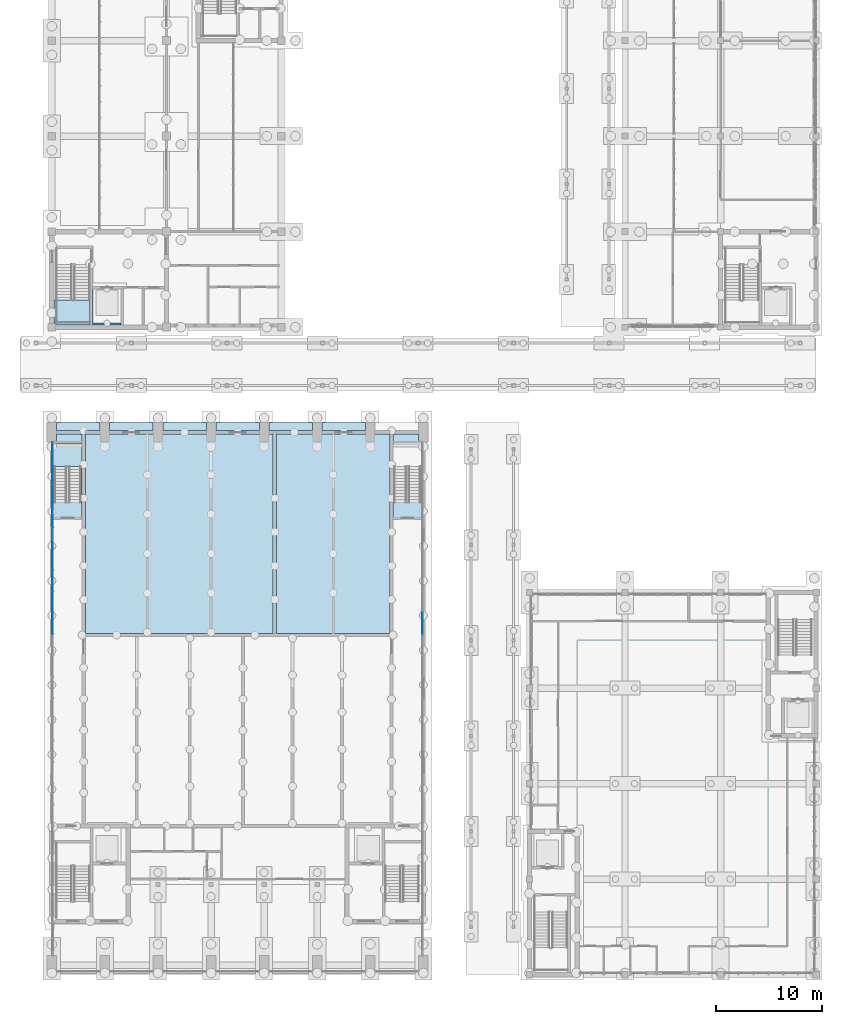
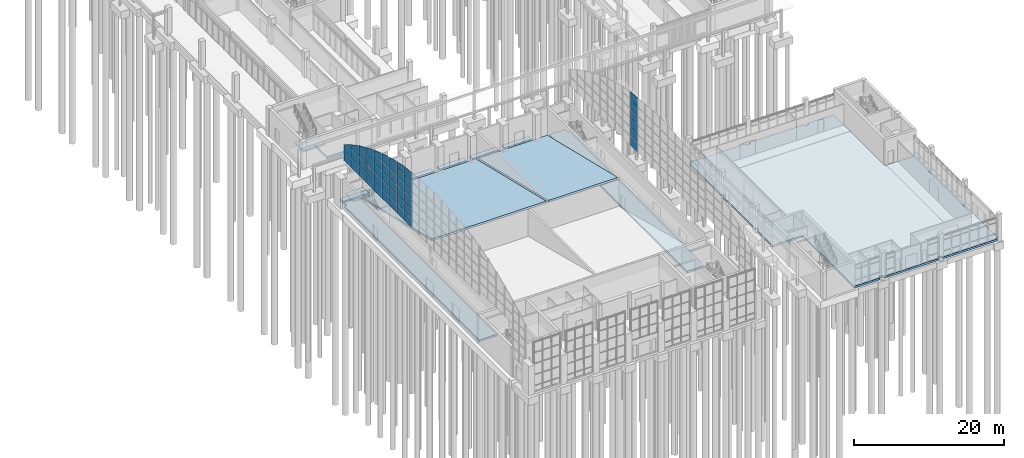
# One storey, part 55 of 106: 45 plates, 14 slabs, 4 elements without a shape of their own.
"""IFC4 building model written with IfcOpenShell, lengths in metres."""

from ifc_helpers import new_model, si_unit, direction, frame, origin, place, context, subcontext, project, spatial, polyline, outline, extrude, material, layer, layer_set, type_object, element, aggregate, save


model = new_model("IFC4")

# Units and contexts
model_context = context("Model", 3, precision=1e-05, world=origin(), true_north=direction((0.0, 1.0)))
body_context = subcontext(model_context, "Body", "Model", "MODEL_VIEW")
ifc_project = project(units=[si_unit("LENGTHUNIT", "METRE"), si_unit("AREAUNIT", "SQUARE_METRE"), si_unit("VOLUMEUNIT", "CUBIC_METRE"), si_unit("PLANEANGLEUNIT", "RADIAN"), si_unit("MASSUNIT", "GRAM", prefix="KILO")], contexts=[model_context])

# Site, building, storey
site_placement = place(None, origin())
site = spatial("IfcSite", under=ifc_project, at=site_placement, CompositionType="ELEMENT")
building_placement = place(site_placement, origin())
building = spatial("IfcBuilding", under=site, at=building_placement, Name="Merrow Basin Faculty of Sciences", CompositionType="ELEMENT")
storey_placement = place(building_placement, origin())
storey = spatial("IfcBuildingStorey", under=building, at=storey_placement, Name="L00", CompositionType="ELEMENT", Elevation=0.0)

# Slabs
ifc_material_1 = material(Name="Concrete C40/50", Category="concrete")
ifc_layer_1 = layer(ifc_material_1, 0.300048828125)
ifc_layer_set_1 = layer_set([ifc_layer_1], Name="Ground slab 300 Concrete C40/50")
slab_type_1 = type_object("IfcSlabType", Name="Ground slab 300 Concrete C40/50", PredefinedType="BASESLAB", material=ifc_layer_set_1)
slab_1_placement = place(storey_placement, frame((0.0, 0.0, -0.300048828125)))
element("IfcSlab", 1, at=slab_1_placement, inside=storey, type_object=slab_type_1, Name="SL3 ground L00 002", PredefinedType="BASESLAB", context=body_context, shape_type="SweptSolid", body=[
    extrude(outline(polyline([(32.14990234375, 32.14990234375), (32.14990234375, 50.949951171875), (34.550048828125, 50.949951171875), (34.550048828125, 50.199951171875), (34.85009765625, 50.199951171875), (34.85009765625, 14.199951171875), (32.14990234375, 14.199951171875), (32.14990234375, 31.85009765625), (32.14990234375, 32.14990234375)])), origin(), (0.0, 0.0, 1.0), 0.300048828125),
])
slab_2_placement = place(storey_placement, frame((0.0, 0.0, -0.300048828125)))
element("IfcSlab", 2, at=slab_2_placement, inside=storey, type_object=slab_type_1, Name="SL3 ground L00 003", PredefinedType="BASESLAB", context=body_context, shape_type="SweptSolid", body=[
    extrude(outline(polyline([(2.85009765625, 50.949951171875), (2.85009765625, 32.14990234375), (2.85009765625, 31.85009765625), (2.85009765625, 14.199951171875), (0.14990234375, 14.199951171875), (0.14990234375, 50.199951171875), (0.449951171875, 50.199951171875), (0.449951171875, 50.949951171875), (2.85009765625, 50.949951171875)])), origin(), (0.0, 0.0, 1.0), 0.300048828125),
])
slab_3_placement = place(storey_placement, frame((0.0, 0.0, -0.300048828125)))
element("IfcSlab", 3, at=slab_3_placement, inside=storey, type_object=slab_type_1, Name="SL3 ground L00 010", PredefinedType="BASESLAB", context=body_context, shape_type="SweptSolid", body=[
    extrude(outline(polyline([(14.550048828125, 51.25), (10.449951171875, 51.25), (10.449951171875, 52.0), (14.550048828125, 52.0), (14.550048828125, 51.25)])), origin(), (0.0, 0.0, 1.0), 0.300048828125),
])
slab_4_placement = place(storey_placement, frame((0.0, 0.0, -0.300048828125)))
element("IfcSlab", 4, at=slab_4_placement, inside=storey, type_object=slab_type_1, Name="SL3 ground L00 011", PredefinedType="BASESLAB", context=body_context, shape_type="SweptSolid", body=[
    extrude(outline(polyline([(19.550048828125, 51.25), (15.449951171875, 51.25), (15.449951171875, 52.0), (19.550048828125, 52.0), (19.550048828125, 51.25)])), origin(), (0.0, 0.0, 1.0), 0.300048828125),
])
slab_5_placement = place(storey_placement, frame((0.0, 0.0, -0.300048828125)))
element("IfcSlab", 5, at=slab_5_placement, inside=storey, type_object=slab_type_1, Name="SL3 ground L00 012", PredefinedType="BASESLAB", context=body_context, shape_type="SweptSolid", body=[
    extrude(outline(polyline([(24.550048828125, 51.25), (21.14990234375, 51.25), (20.85009765625, 51.25), (20.449951171875, 51.25), (20.449951171875, 52.0), (24.550048828125, 52.0), (24.550048828125, 51.25)])), origin(), (0.0, 0.0, 1.0), 0.300048828125),
])
slab_6_placement = place(storey_placement, frame((0.0, 0.0, -0.300048828125)))
element("IfcSlab", 6, at=slab_6_placement, inside=storey, type_object=slab_type_1, Name="SL3 ground L00 013", PredefinedType="BASESLAB", context=body_context, shape_type="SweptSolid", body=[
    extrude(outline(polyline([(29.550048828125, 51.25), (25.449951171875, 51.25), (25.449951171875, 52.0), (29.550048828125, 52.0), (29.550048828125, 51.25)])), origin(), (0.0, 0.0, 1.0), 0.300048828125),
])
slab_7_placement = place(storey_placement, frame((0.0, 0.0, -0.300048828125)))
element("IfcSlab", 7, at=slab_7_placement, inside=storey, type_object=slab_type_1, Name="SL3 ground L00 014", PredefinedType="BASESLAB", context=body_context, shape_type="SweptSolid", body=[
    extrude(outline(polyline([(9.550048828125, 51.25), (5.449951171875, 51.25), (5.449951171875, 52.0), (9.550048828125, 52.0), (9.550048828125, 51.25)])), origin(), (0.0, 0.0, 1.0), 0.300048828125),
])
slab_8_placement = place(storey_placement, frame((0.0, 0.0, -0.300048828125)))
element("IfcSlab", 8, at=slab_8_placement, inside=storey, type_object=slab_type_1, Name="SL3 ground L00 015", PredefinedType="BASESLAB", context=body_context, shape_type="SweptSolid", body=[
    extrude(outline(polyline([(4.550048828125, 51.25), (3.14990234375, 51.25), (2.85009765625, 51.25), (0.449951171875, 51.25), (0.449951171875, 52.0), (4.550048828125, 52.0), (4.550048828125, 51.25)])), origin(), (0.0, 0.0, 1.0), 0.300048828125),
])
slab_9_placement = place(storey_placement, frame((0.0, 0.0, -0.300048828125)))
element("IfcSlab", 9, at=slab_9_placement, inside=storey, type_object=slab_type_1, Name="SL3 ground L00 001", PredefinedType="BASESLAB", context=body_context, shape_type="SweptSolid", body=[
    extrude(outline(polyline([(45.300048828125, 17.699951171875), (45.300048828125, 18.300048828125), (45.0, 18.300048828125), (45.0, 26.699951171875), (45.300048828125, 26.699951171875), (45.300048828125, 27.300048828125), (45.0, 27.300048828125), (45.0, 35.699951171875), (45.300048828125, 35.699951171875), (45.300048828125, 36.0), (53.699951171875, 36.0), (53.699951171875, 35.699951171875), (54.300048828125, 35.699951171875), (54.300048828125, 36.0), (62.699951171875, 36.0), (62.699951171875, 35.699951171875), (63.300048828125, 35.699951171875), (63.300048828125, 36.0), (67.300048828125, 36.0), (67.300048828125, 35.800048828125), (67.300048828125, 22.699951171875), (67.300048828125, 22.300048828125), (72.0, 22.300048828125), (72.0, 18.300048828125), (71.699951171875, 18.300048828125), (71.699951171875, 17.699951171875), (72.0, 17.699951171875), (72.0, 9.300048828125), (71.699951171875, 9.300048828125), (71.699951171875, 8.699951171875), (72.0, 8.699951171875), (72.0, 0.300048828125), (71.699951171875, 0.300048828125), (71.699951171875, 0.0), (63.300048828125, 0.0), (63.300048828125, 0.300048828125), (62.699951171875, 0.300048828125), (62.699951171875, 0.0), (54.300048828125, 0.0), (54.300048828125, 0.300048828125), (53.699951171875, 0.300048828125), (53.699951171875, 0.0), (49.699951171875, 0.0), (49.699951171875, 0.199951171875), (49.699951171875, 13.300048828125), (49.699951171875, 13.699951171875), (45.0, 13.699951171875), (45.0, 17.699951171875), (45.300048828125, 17.699951171875)])), origin(), (0.0, 0.0, 1.0), 0.300048828125),
])
slab_10_placement = place(storey_placement, frame((0.0, 0.0, -0.300048828125)))
element("IfcSlab", 10, at=slab_10_placement, inside=storey, type_object=slab_type_1, Name="SL3 ground L00 010", PredefinedType="BASESLAB", context=body_context, shape_type="SweptSolid", body=[
    extrude(outline(polyline([(6.5, 61.39990234375), (6.5, 61.199951171875), (3.85009765625, 61.199951171875), (3.85009765625, 64.60009765625), (3.89990234375, 64.60009765625), (3.89990234375, 61.39990234375), (6.5, 61.39990234375)])), origin(), (0.0, 0.0, 1.0), 0.300048828125),
])

# Curtain wall, plates
ifc_material_2 = material(Name="Aluminium alloy 6063", Category="aluminium")
curtain_wall_type = type_object("IfcCurtainWallType", Name="Arched curtain wall 160", PredefinedType="NOTDEFINED", material=ifc_material_2)
curtain_wall_1_placement = place(storey_placement, origin())
curtain_wall_1 = element("IfcCurtainWall", 11, at=curtain_wall_1_placement, inside=storey, type_object=curtain_wall_type, Name="West gable glazing C", PredefinedType="NOTDEFINED")
ifc_material_3 = material(Name="Laminated safety glass", Category="glass")
ifc_layer_2 = layer(ifc_material_3, 0.0400390625)
ifc_layer_set_2 = layer_set([ifc_layer_2], Name="Laminated overhead glazing panel 40")
plate_type = type_object("IfcPlateType", Name="Laminated overhead glazing panel 40", PredefinedType="CURTAIN_PANEL", material=ifc_layer_set_2)
plate_1_placement = place(storey_placement, frame((0.06005859375, 32.1298828125, 7.5), z_axis=(1.0, 0.0, 0.0), x_axis=(0.0, 1.0, 0.0)))
plate_1 = element("IfcPlate", 12, at=plate_1_placement, type_object=plate_type, Name="CW4 panel 10.1", PredefinedType="CURTAIN_PANEL", context=body_context, shape_type="SweptSolid", body=[
    extrude(outline(polyline([(0.0, 0.0), (1.949951171875, 0.0), (1.949951171875, 1.469970703125), (0.0, 1.469970703125), (0.0, 0.0)])), origin(), (0.0, 0.0, 1.0), 0.0400390625),
])
plate_2_placement = place(storey_placement, frame((0.06005859375, 32.1298828125, 9.030029296875), z_axis=(1.0, 0.0, 0.0), x_axis=(0.0, 1.0, 0.0)))
plate_2 = element("IfcPlate", 13, at=plate_2_placement, type_object=plate_type, Name="CW4 panel 10.2", PredefinedType="CURTAIN_PANEL", context=body_context, shape_type="SweptSolid", body=[
    extrude(outline(polyline([(0.0, 0.0), (1.949951171875, 0.0), (1.949951171875, 1.43994140625), (0.0, 1.43994140625), (0.0, 0.0)])), origin(), (0.0, 0.0, 1.0), 0.0400390625),
])
plate_3_placement = place(storey_placement, frame((0.06005859375, 32.1298828125, 10.530029296875), z_axis=(1.0, 0.0, 0.0), x_axis=(0.0, 1.0, 0.0)))
plate_3 = element("IfcPlate", 14, at=plate_3_placement, type_object=plate_type, Name="CW4 panel 10.3", PredefinedType="CURTAIN_PANEL", context=body_context, shape_type="SweptSolid", body=[
    extrude(outline(polyline([(0.0, 0.0), (1.949951171875, 0.0), (1.949951171875, 1.43994140625), (0.0, 1.43994140625), (0.0, 0.0)])), origin(), (0.0, 0.0, 1.0), 0.0400390625),
])
plate_4_placement = place(storey_placement, frame((0.06005859375, 32.1298828125, 12.030029296875), z_axis=(1.0, 0.0, 0.0), x_axis=(0.0, 1.0, 0.0)))
plate_4 = element("IfcPlate", 15, at=plate_4_placement, type_object=plate_type, Name="CW4 panel 10.4", PredefinedType="CURTAIN_PANEL", context=body_context, shape_type="SweptSolid", body=[
    extrude(outline(polyline([(0.0, 0.0), (1.949951171875, 0.0), (1.949951171875, 1.43994140625), (0.0, 1.43994140625), (0.0, 0.0)])), origin(), (0.0, 0.0, 1.0), 0.0400390625),
])
plate_5_placement = place(storey_placement, frame((0.06005859375, 32.1298828125, 13.530029296875), z_axis=(1.0, 0.0, 0.0), x_axis=(0.0, 1.0, 0.0)))
plate_5 = element("IfcPlate", 16, at=plate_5_placement, type_object=plate_type, Name="CW4 panel 10.5", PredefinedType="CURTAIN_PANEL", context=body_context, shape_type="SweptSolid", body=[
    extrude(outline(polyline([(0.0, 0.0), (1.949951171875, 0.0), (1.949951171875, 1.43994140625), (0.0, 1.43994140625), (0.0, 0.0)])), origin(), (0.0, 0.0, 1.0), 0.0400390625),
])
plate_6_placement = place(storey_placement, frame((0.06005859375, 32.1298828125, 15.030029296875), z_axis=(1.0, 0.0, 0.0), x_axis=(0.0, 1.0, 0.0)))
plate_6 = element("IfcPlate", 17, at=plate_6_placement, type_object=plate_type, Name="CW4 panel 10.top", PredefinedType="CURTAIN_PANEL", context=body_context, shape_type="SweptSolid", body=[
    extrude(outline(polyline([(0.0, 0.0), (1.950927734375, 0.0), (1.950927734375, 1.200927734375), (1.847900390625, 1.222900390625), (0.0, 1.383056640625), (0.0, 0.0)])), origin(), (0.0, 0.0, 1.0), 0.0400390625),
])
plate_7_placement = place(storey_placement, frame((0.06005859375, 34.14111328125, 7.5), z_axis=(1.0, 0.0, 0.0), x_axis=(0.0, 1.0, 0.0)))
plate_7 = element("IfcPlate", 18, at=plate_7_placement, type_object=plate_type, Name="CW4 panel 11.1", PredefinedType="CURTAIN_PANEL", context=body_context, shape_type="SweptSolid", body=[
    extrude(outline(polyline([(0.0, 0.0), (1.949951171875, 0.0), (1.949951171875, 1.469970703125), (0.0, 1.469970703125), (0.0, 0.0)])), origin(), (0.0, 0.0, 1.0), 0.0400390625),
])
plate_8_placement = place(storey_placement, frame((0.06005859375, 34.14111328125, 9.030029296875), z_axis=(1.0, 0.0, 0.0), x_axis=(0.0, 1.0, 0.0)))
plate_8 = element("IfcPlate", 19, at=plate_8_placement, type_object=plate_type, Name="CW4 panel 11.2", PredefinedType="CURTAIN_PANEL", context=body_context, shape_type="SweptSolid", body=[
    extrude(outline(polyline([(0.0, 0.0), (1.949951171875, 0.0), (1.949951171875, 1.43994140625), (0.0, 1.43994140625), (0.0, 0.0)])), origin(), (0.0, 0.0, 1.0), 0.0400390625),
])
plate_9_placement = place(storey_placement, frame((0.06005859375, 34.14111328125, 10.530029296875), z_axis=(1.0, 0.0, 0.0), x_axis=(0.0, 1.0, 0.0)))
plate_9 = element("IfcPlate", 20, at=plate_9_placement, type_object=plate_type, Name="CW4 panel 11.3", PredefinedType="CURTAIN_PANEL", context=body_context, shape_type="SweptSolid", body=[
    extrude(outline(polyline([(0.0, 0.0), (1.949951171875, 0.0), (1.949951171875, 1.43994140625), (0.0, 1.43994140625), (0.0, 0.0)])), origin(), (0.0, 0.0, 1.0), 0.0400390625),
])
plate_10_placement = place(storey_placement, frame((0.06005859375, 34.14111328125, 12.030029296875), z_axis=(1.0, 0.0, 0.0), x_axis=(0.0, 1.0, 0.0)))
plate_10 = element("IfcPlate", 21, at=plate_10_placement, type_object=plate_type, Name="CW4 panel 11.4", PredefinedType="CURTAIN_PANEL", context=body_context, shape_type="SweptSolid", body=[
    extrude(outline(polyline([(0.0, 0.0), (1.949951171875, 0.0), (1.949951171875, 1.43994140625), (0.0, 1.43994140625), (0.0, 0.0)])), origin(), (0.0, 0.0, 1.0), 0.0400390625),
])
plate_11_placement = place(storey_placement, frame((0.06005859375, 34.14111328125, 13.530029296875), z_axis=(1.0, 0.0, 0.0), x_axis=(0.0, 1.0, 0.0)))
plate_11 = element("IfcPlate", 22, at=plate_11_placement, type_object=plate_type, Name="CW4 panel 11.5", PredefinedType="CURTAIN_PANEL", context=body_context, shape_type="SweptSolid", body=[
    extrude(outline(polyline([(0.0, 0.0), (1.949951171875, 0.0), (1.949951171875, 1.43994140625), (0.0, 1.43994140625), (0.0, 0.0)])), origin(), (0.0, 0.0, 1.0), 0.0400390625),
])
plate_12_placement = place(storey_placement, frame((0.06005859375, 34.14111328125, 15.030029296875), z_axis=(1.0, 0.0, 0.0), x_axis=(0.0, 1.0, 0.0)))
plate_12 = element("IfcPlate", 23, at=plate_12_placement, type_object=plate_type, Name="CW4 panel 11.top", PredefinedType="CURTAIN_PANEL", context=body_context, shape_type="SweptSolid", body=[
    extrude(outline(polyline([(0.0, 0.0), (1.950927734375, 0.0), (1.950927734375, 0.780029296875), (0.0, 1.18798828125), (0.0, 0.0)])), origin(), (0.0, 0.0, 1.0), 0.0400390625),
])
plate_13_placement = place(storey_placement, frame((0.06005859375, 36.152099609375, 7.5), z_axis=(1.0, 0.0, 0.0), x_axis=(0.0, 1.0, 0.0)))
plate_13 = element("IfcPlate", 24, at=plate_13_placement, type_object=plate_type, Name="CW4 panel 12.1", PredefinedType="CURTAIN_PANEL", context=body_context, shape_type="SweptSolid", body=[
    extrude(outline(polyline([(0.0, 0.0), (1.949951171875, 0.0), (1.949951171875, 1.469970703125), (0.0, 1.469970703125), (0.0, 0.0)])), origin(), (0.0, 0.0, 1.0), 0.0400390625),
])
plate_14_placement = place(storey_placement, frame((0.06005859375, 36.152099609375, 9.030029296875), z_axis=(1.0, 0.0, 0.0), x_axis=(0.0, 1.0, 0.0)))
plate_14 = element("IfcPlate", 25, at=plate_14_placement, type_object=plate_type, Name="CW4 panel 12.2", PredefinedType="CURTAIN_PANEL", context=body_context, shape_type="SweptSolid", body=[
    extrude(outline(polyline([(0.0, 0.0), (1.949951171875, 0.0), (1.949951171875, 1.43994140625), (0.0, 1.43994140625), (0.0, 0.0)])), origin(), (0.0, 0.0, 1.0), 0.0400390625),
])
plate_15_placement = place(storey_placement, frame((0.06005859375, 36.152099609375, 10.530029296875), z_axis=(1.0, 0.0, 0.0), x_axis=(0.0, 1.0, 0.0)))
plate_15 = element("IfcPlate", 26, at=plate_15_placement, type_object=plate_type, Name="CW4 panel 12.3", PredefinedType="CURTAIN_PANEL", context=body_context, shape_type="SweptSolid", body=[
    extrude(outline(polyline([(0.0, 0.0), (1.949951171875, 0.0), (1.949951171875, 1.43994140625), (0.0, 1.43994140625), (0.0, 0.0)])), origin(), (0.0, 0.0, 1.0), 0.0400390625),
])
plate_16_placement = place(storey_placement, frame((0.06005859375, 36.152099609375, 12.030029296875), z_axis=(1.0, 0.0, 0.0), x_axis=(0.0, 1.0, 0.0)))
plate_16 = element("IfcPlate", 27, at=plate_16_placement, type_object=plate_type, Name="CW4 panel 12.4", PredefinedType="CURTAIN_PANEL", context=body_context, shape_type="SweptSolid", body=[
    extrude(outline(polyline([(0.0, 0.0), (1.949951171875, 0.0), (1.949951171875, 1.43994140625), (0.0, 1.43994140625), (0.0, 0.0)])), origin(), (0.0, 0.0, 1.0), 0.0400390625),
])
plate_17_placement = place(storey_placement, frame((0.06005859375, 36.152099609375, 13.530029296875), z_axis=(1.0, 0.0, 0.0), x_axis=(0.0, 1.0, 0.0)))
plate_17 = element("IfcPlate", 28, at=plate_17_placement, type_object=plate_type, Name="CW4 panel 12.top", PredefinedType="CURTAIN_PANEL", context=body_context, shape_type="SweptSolid", body=[
    extrude(outline(polyline([(0.0, 0.0), (1.950927734375, 0.0), (1.950927734375, 1.779052734375), (0.81201171875, 2.097900390625), (0.0, 2.26806640625), (0.0, 0.0)])), origin(), (0.0, 0.0, 1.0), 0.0400390625),
])
plate_18_placement = place(storey_placement, frame((0.06005859375, 38.1630859375, 7.5), z_axis=(1.0, 0.0, 0.0), x_axis=(0.0, 1.0, 0.0)))
plate_18 = element("IfcPlate", 29, at=plate_18_placement, type_object=plate_type, Name="CW4 panel 13.1", PredefinedType="CURTAIN_PANEL", context=body_context, shape_type="SweptSolid", body=[
    extrude(outline(polyline([(0.0, 0.0), (1.949951171875, 0.0), (1.949951171875, 1.469970703125), (0.0, 1.469970703125), (0.0, 0.0)])), origin(), (0.0, 0.0, 1.0), 0.0400390625),
])
plate_19_placement = place(storey_placement, frame((0.06005859375, 38.1630859375, 9.030029296875), z_axis=(1.0, 0.0, 0.0), x_axis=(0.0, 1.0, 0.0)))
plate_19 = element("IfcPlate", 30, at=plate_19_placement, type_object=plate_type, Name="CW4 panel 13.2", PredefinedType="CURTAIN_PANEL", context=body_context, shape_type="SweptSolid", body=[
    extrude(outline(polyline([(0.0, 0.0), (1.949951171875, 0.0), (1.949951171875, 1.43994140625), (0.0, 1.43994140625), (0.0, 0.0)])), origin(), (0.0, 0.0, 1.0), 0.0400390625),
])
plate_20_placement = place(storey_placement, frame((0.06005859375, 38.1630859375, 10.530029296875), z_axis=(1.0, 0.0, 0.0), x_axis=(0.0, 1.0, 0.0)))
plate_20 = element("IfcPlate", 31, at=plate_20_placement, type_object=plate_type, Name="CW4 panel 13.3", PredefinedType="CURTAIN_PANEL", context=body_context, shape_type="SweptSolid", body=[
    extrude(outline(polyline([(0.0, 0.0), (1.949951171875, 0.0), (1.949951171875, 1.43994140625), (0.0, 1.43994140625), (0.0, 0.0)])), origin(), (0.0, 0.0, 1.0), 0.0400390625),
])
plate_21_placement = place(storey_placement, frame((0.06005859375, 38.1630859375, 12.030029296875), z_axis=(1.0, 0.0, 0.0), x_axis=(0.0, 1.0, 0.0)))
plate_21 = element("IfcPlate", 32, at=plate_21_placement, type_object=plate_type, Name="CW4 panel 13.4", PredefinedType="CURTAIN_PANEL", context=body_context, shape_type="SweptSolid", body=[
    extrude(outline(polyline([(0.0, 0.0), (1.949951171875, 0.0), (1.949951171875, 1.43994140625), (0.0, 1.43994140625), (0.0, 0.0)])), origin(), (0.0, 0.0, 1.0), 0.0400390625),
])
plate_22_placement = place(storey_placement, frame((0.06005859375, 38.1630859375, 13.530029296875), z_axis=(1.0, 0.0, 0.0), x_axis=(0.0, 1.0, 0.0)))
plate_22 = element("IfcPlate", 33, at=plate_22_placement, type_object=plate_type, Name="CW4 panel 13.top", PredefinedType="CURTAIN_PANEL", context=body_context, shape_type="SweptSolid", body=[
    extrude(outline(polyline([(0.0, 0.0), (1.950927734375, 0.0), (1.950927734375, 1.2041015625), (1.791015625, 1.260986328125), (0.0, 1.761962890625), (0.0, 0.0)])), origin(), (0.0, 0.0, 1.0), 0.0400390625),
])
plate_23_placement = place(storey_placement, frame((0.06005859375, 40.174072265625, 7.5), z_axis=(1.0, 0.0, 0.0), x_axis=(0.0, 1.0, 0.0)))
plate_23 = element("IfcPlate", 34, at=plate_23_placement, type_object=plate_type, Name="CW4 panel 14.1", PredefinedType="CURTAIN_PANEL", context=body_context, shape_type="SweptSolid", body=[
    extrude(outline(polyline([(0.0, 0.0), (1.949951171875, 0.0), (1.949951171875, 1.469970703125), (0.0, 1.469970703125), (0.0, 0.0)])), origin(), (0.0, 0.0, 1.0), 0.0400390625),
])
plate_24_placement = place(storey_placement, frame((0.06005859375, 40.174072265625, 9.030029296875), z_axis=(1.0, 0.0, 0.0), x_axis=(0.0, 1.0, 0.0)))
plate_24 = element("IfcPlate", 35, at=plate_24_placement, type_object=plate_type, Name="CW4 panel 14.2", PredefinedType="CURTAIN_PANEL", context=body_context, shape_type="SweptSolid", body=[
    extrude(outline(polyline([(0.0, 0.0), (1.949951171875, 0.0), (1.949951171875, 1.43994140625), (0.0, 1.43994140625), (0.0, 0.0)])), origin(), (0.0, 0.0, 1.0), 0.0400390625),
])
plate_25_placement = place(storey_placement, frame((0.06005859375, 40.174072265625, 10.530029296875), z_axis=(1.0, 0.0, 0.0), x_axis=(0.0, 1.0, 0.0)))
plate_25 = element("IfcPlate", 36, at=plate_25_placement, type_object=plate_type, Name="CW4 panel 14.3", PredefinedType="CURTAIN_PANEL", context=body_context, shape_type="SweptSolid", body=[
    extrude(outline(polyline([(0.0, 0.0), (1.949951171875, 0.0), (1.949951171875, 1.43994140625), (0.0, 1.43994140625), (0.0, 0.0)])), origin(), (0.0, 0.0, 1.0), 0.0400390625),
])
plate_26_placement = place(storey_placement, frame((0.06005859375, 40.174072265625, 12.030029296875), z_axis=(1.0, 0.0, 0.0), x_axis=(0.0, 1.0, 0.0)))
plate_26 = element("IfcPlate", 37, at=plate_26_placement, type_object=plate_type, Name="CW4 panel 14.4", PredefinedType="CURTAIN_PANEL", context=body_context, shape_type="SweptSolid", body=[
    extrude(outline(polyline([(0.0, 0.0), (1.949951171875, 0.0), (1.949951171875, 1.43994140625), (0.0, 1.43994140625), (0.0, 0.0)])), origin(), (0.0, 0.0, 1.0), 0.0400390625),
])
plate_27_placement = place(storey_placement, frame((0.06005859375, 40.174072265625, 13.530029296875), z_axis=(1.0, 0.0, 0.0), x_axis=(0.0, 1.0, 0.0)))
plate_27 = element("IfcPlate", 38, at=plate_27_placement, type_object=plate_type, Name="CW4 panel 14.top", PredefinedType="CURTAIN_PANEL", context=body_context, shape_type="SweptSolid", body=[
    extrude(outline(polyline([(0.0, 0.0), (1.950927734375, 0.0), (1.950927734375, 0.490966796875), (0.0, 1.18310546875), (0.0, 0.0)])), origin(), (0.0, 0.0, 1.0), 0.0400390625),
])
plate_28_placement = place(storey_placement, frame((0.06005859375, 42.18603515625, 7.5), z_axis=(1.0, 0.0, 0.0), x_axis=(0.0, 1.0, 0.0)))
plate_28 = element("IfcPlate", 39, at=plate_28_placement, type_object=plate_type, Name="CW4 panel 15.1", PredefinedType="CURTAIN_PANEL", context=body_context, shape_type="SweptSolid", body=[
    extrude(outline(polyline([(0.0, 0.0), (1.949951171875, 0.0), (1.949951171875, 1.469970703125), (0.0, 1.469970703125), (0.0, 0.0)])), origin(), (0.0, 0.0, 1.0), 0.0400390625),
])
plate_29_placement = place(storey_placement, frame((0.06005859375, 42.18603515625, 9.030029296875), z_axis=(1.0, 0.0, 0.0), x_axis=(0.0, 1.0, 0.0)))
plate_29 = element("IfcPlate", 40, at=plate_29_placement, type_object=plate_type, Name="CW4 panel 15.2", PredefinedType="CURTAIN_PANEL", context=body_context, shape_type="SweptSolid", body=[
    extrude(outline(polyline([(0.0, 0.0), (1.949951171875, 0.0), (1.949951171875, 1.43994140625), (0.0, 1.43994140625), (0.0, 0.0)])), origin(), (0.0, 0.0, 1.0), 0.0400390625),
])
plate_30_placement = place(storey_placement, frame((0.06005859375, 42.18603515625, 10.530029296875), z_axis=(1.0, 0.0, 0.0), x_axis=(0.0, 1.0, 0.0)))
plate_30 = element("IfcPlate", 41, at=plate_30_placement, type_object=plate_type, Name="CW4 panel 15.3", PredefinedType="CURTAIN_PANEL", context=body_context, shape_type="SweptSolid", body=[
    extrude(outline(polyline([(0.0, 0.0), (1.949951171875, 0.0), (1.949951171875, 1.43994140625), (0.0, 1.43994140625), (0.0, 0.0)])), origin(), (0.0, 0.0, 1.0), 0.0400390625),
])
plate_31_placement = place(storey_placement, frame((0.06005859375, 42.18603515625, 12.030029296875), z_axis=(1.0, 0.0, 0.0), x_axis=(0.0, 1.0, 0.0)))
plate_31 = element("IfcPlate", 42, at=plate_31_placement, type_object=plate_type, Name="CW4 panel 15.top", PredefinedType="CURTAIN_PANEL", context=body_context, shape_type="SweptSolid", body=[
    extrude(outline(polyline([(0.0, 0.0), (1.950927734375, 0.0), (1.950927734375, 1.181884765625), (0.759033203125, 1.699951171875), (0.0, 1.968994140625), (0.0, 0.0)])), origin(), (0.0, 0.0, 1.0), 0.0400390625),
])
plate_32_placement = place(storey_placement, frame((0.06005859375, 44.197021484375, 7.5), z_axis=(1.0, 0.0, 0.0), x_axis=(0.0, 1.0, 0.0)))
plate_32 = element("IfcPlate", 43, at=plate_32_placement, type_object=plate_type, Name="CW4 panel 16.1", PredefinedType="CURTAIN_PANEL", context=body_context, shape_type="SweptSolid", body=[
    extrude(outline(polyline([(0.0, 0.0), (1.949951171875, 0.0), (1.949951171875, 1.469970703125), (0.0, 1.469970703125), (0.0, 0.0)])), origin(), (0.0, 0.0, 1.0), 0.0400390625),
])
plate_33_placement = place(storey_placement, frame((0.06005859375, 44.197021484375, 9.030029296875), z_axis=(1.0, 0.0, 0.0), x_axis=(0.0, 1.0, 0.0)))
plate_33 = element("IfcPlate", 44, at=plate_33_placement, type_object=plate_type, Name="CW4 panel 16.2", PredefinedType="CURTAIN_PANEL", context=body_context, shape_type="SweptSolid", body=[
    extrude(outline(polyline([(0.0, 0.0), (1.949951171875, 0.0), (1.949951171875, 1.43994140625), (0.0, 1.43994140625), (0.0, 0.0)])), origin(), (0.0, 0.0, 1.0), 0.0400390625),
])
plate_34_placement = place(storey_placement, frame((0.06005859375, 44.197021484375, 10.530029296875), z_axis=(1.0, 0.0, 0.0), x_axis=(0.0, 1.0, 0.0)))
plate_34 = element("IfcPlate", 45, at=plate_34_placement, type_object=plate_type, Name="CW4 panel 16.top", PredefinedType="CURTAIN_PANEL", context=body_context, shape_type="SweptSolid", body=[
    extrude(outline(polyline([(0.0, 0.0), (1.950927734375, 0.0), (1.950927734375, 1.7880859375), (1.739013671875, 1.89892578125), (0.0, 2.655029296875), (0.0, 0.0)])), origin(), (0.0, 0.0, 1.0), 0.0400390625),
])
plate_35_placement = place(storey_placement, frame((0.06005859375, 46.2080078125, 7.5), z_axis=(1.0, 0.0, 0.0), x_axis=(0.0, 1.0, 0.0)))
plate_35 = element("IfcPlate", 46, at=plate_35_placement, type_object=plate_type, Name="CW4 panel 17.1", PredefinedType="CURTAIN_PANEL", context=body_context, shape_type="SweptSolid", body=[
    extrude(outline(polyline([(0.0, 0.0), (1.949951171875, 0.0), (1.949951171875, 1.469970703125), (0.0, 1.469970703125), (0.0, 0.0)])), origin(), (0.0, 0.0, 1.0), 0.0400390625),
])
plate_36_placement = place(storey_placement, frame((0.06005859375, 46.2080078125, 9.030029296875), z_axis=(1.0, 0.0, 0.0), x_axis=(0.0, 1.0, 0.0)))
plate_36 = element("IfcPlate", 47, at=plate_36_placement, type_object=plate_type, Name="CW4 panel 17.2", PredefinedType="CURTAIN_PANEL", context=body_context, shape_type="SweptSolid", body=[
    extrude(outline(polyline([(0.0, 0.0), (1.949951171875, 0.0), (1.949951171875, 1.43994140625), (0.0, 1.43994140625), (0.0, 0.0)])), origin(), (0.0, 0.0, 1.0), 0.0400390625),
])
plate_37_placement = place(storey_placement, frame((0.06005859375, 46.2080078125, 10.530029296875), z_axis=(1.0, 0.0, 0.0), x_axis=(0.0, 1.0, 0.0)))
plate_37 = element("IfcPlate", 48, at=plate_37_placement, type_object=plate_type, Name="CW4 panel 17.top", PredefinedType="CURTAIN_PANEL", context=body_context, shape_type="SweptSolid", body=[
    extrude(outline(polyline([(0.0, 0.0), (1.950927734375, 0.0), (1.950927734375, 0.735107421875), (0.0, 1.756103515625), (0.0, 0.0)])), origin(), (0.0, 0.0, 1.0), 0.0400390625),
])
plate_38_placement = place(storey_placement, frame((0.06005859375, 48.218994140625, 7.5), z_axis=(1.0, 0.0, 0.0), x_axis=(0.0, 1.0, 0.0)))
plate_38 = element("IfcPlate", 49, at=plate_38_placement, type_object=plate_type, Name="CW4 panel 18.1", PredefinedType="CURTAIN_PANEL", context=body_context, shape_type="SweptSolid", body=[
    extrude(outline(polyline([(0.0, 0.0), (1.919921875, 0.0), (1.919921875, 1.469970703125), (0.0, 1.469970703125), (0.0, 0.0)])), origin(), (0.0, 0.0, 1.0), 0.0400390625),
])
plate_39_placement = place(storey_placement, frame((0.06005859375, 48.218994140625, 9.030029296875), z_axis=(1.0, 0.0, 0.0), x_axis=(0.0, 1.0, 0.0)))
plate_39 = element("IfcPlate", 50, at=plate_39_placement, type_object=plate_type, Name="CW4 panel 18.top", PredefinedType="CURTAIN_PANEL", context=body_context, shape_type="SweptSolid", body=[
    extrude(outline(polyline([(0.0, 0.0), (1.9208984375, 0.0), (1.9208984375, 1.077880859375), (0.70703125, 1.833984375), (0.0, 2.2041015625), (0.0, 0.0)])), origin(), (0.0, 0.0, 1.0), 0.0400390625),
])
aggregate(curtain_wall_1, [plate_1, plate_2, plate_3, plate_4, plate_5, plate_6, plate_7, plate_8, plate_9, plate_10, plate_11, plate_12, plate_13, plate_14, plate_15, plate_16, plate_17, plate_18, plate_19, plate_20, plate_21, plate_22, plate_23, plate_24, plate_25, plate_26, plate_27, plate_28, plate_29, plate_30, plate_31, plate_32, plate_33, plate_34, plate_35, plate_36, plate_37, plate_38, plate_39])

curtain_wall_2_placement = place(storey_placement, origin())
curtain_wall_2 = element("IfcCurtainWall", 51, at=curtain_wall_2_placement, inside=storey, type_object=curtain_wall_type, Name="East gable glazing C", PredefinedType="NOTDEFINED")
plate_40_placement = place(storey_placement, frame((34.89990234375, 32.1298828125, 7.5), z_axis=(1.0, 0.0, 0.0), x_axis=(0.0, 1.0, 0.0)))
plate_40 = element("IfcPlate", 52, at=plate_40_placement, type_object=plate_type, Name="CW4 panel 10.1", PredefinedType="CURTAIN_PANEL", context=body_context, shape_type="SweptSolid", body=[
    extrude(outline(polyline([(0.0, 0.0), (1.949951171875, 0.0), (1.949951171875, 1.469970703125), (0.0, 1.469970703125), (0.0, 0.0)])), origin(), (0.0, 0.0, 1.0), 0.0400390625),
])
plate_41_placement = place(storey_placement, frame((34.89990234375, 32.1298828125, 9.030029296875), z_axis=(1.0, 0.0, 0.0), x_axis=(0.0, 1.0, 0.0)))
plate_41 = element("IfcPlate", 53, at=plate_41_placement, type_object=plate_type, Name="CW4 panel 10.2", PredefinedType="CURTAIN_PANEL", context=body_context, shape_type="SweptSolid", body=[
    extrude(outline(polyline([(0.0, 0.0), (1.949951171875, 0.0), (1.949951171875, 1.43994140625), (0.0, 1.43994140625), (0.0, 0.0)])), origin(), (0.0, 0.0, 1.0), 0.0400390625),
])
plate_42_placement = place(storey_placement, frame((34.89990234375, 32.1298828125, 10.530029296875), z_axis=(1.0, 0.0, 0.0), x_axis=(0.0, 1.0, 0.0)))
plate_42 = element("IfcPlate", 54, at=plate_42_placement, type_object=plate_type, Name="CW4 panel 10.3", PredefinedType="CURTAIN_PANEL", context=body_context, shape_type="SweptSolid", body=[
    extrude(outline(polyline([(0.0, 0.0), (1.949951171875, 0.0), (1.949951171875, 1.43994140625), (0.0, 1.43994140625), (0.0, 0.0)])), origin(), (0.0, 0.0, 1.0), 0.0400390625),
])
plate_43_placement = place(storey_placement, frame((34.89990234375, 32.1298828125, 12.030029296875), z_axis=(1.0, 0.0, 0.0), x_axis=(0.0, 1.0, 0.0)))
plate_43 = element("IfcPlate", 55, at=plate_43_placement, type_object=plate_type, Name="CW4 panel 10.4", PredefinedType="CURTAIN_PANEL", context=body_context, shape_type="SweptSolid", body=[
    extrude(outline(polyline([(0.0, 0.0), (1.949951171875, 0.0), (1.949951171875, 1.43994140625), (0.0, 1.43994140625), (0.0, 0.0)])), origin(), (0.0, 0.0, 1.0), 0.0400390625),
])
plate_44_placement = place(storey_placement, frame((34.89990234375, 32.1298828125, 13.530029296875), z_axis=(1.0, 0.0, 0.0), x_axis=(0.0, 1.0, 0.0)))
plate_44 = element("IfcPlate", 56, at=plate_44_placement, type_object=plate_type, Name="CW4 panel 10.5", PredefinedType="CURTAIN_PANEL", context=body_context, shape_type="SweptSolid", body=[
    extrude(outline(polyline([(0.0, 0.0), (1.949951171875, 0.0), (1.949951171875, 1.43994140625), (0.0, 1.43994140625), (0.0, 0.0)])), origin(), (0.0, 0.0, 1.0), 0.0400390625),
])
plate_45_placement = place(storey_placement, frame((34.89990234375, 32.1298828125, 15.030029296875), z_axis=(1.0, 0.0, 0.0), x_axis=(0.0, 1.0, 0.0)))
plate_45 = element("IfcPlate", 57, at=plate_45_placement, type_object=plate_type, Name="CW4 panel 10.top", PredefinedType="CURTAIN_PANEL", context=body_context, shape_type="SweptSolid", body=[
    extrude(outline(polyline([(0.0, 0.0), (1.950927734375, 0.0), (1.950927734375, 1.200927734375), (1.847900390625, 1.222900390625), (0.0, 1.383056640625), (0.0, 0.0)])), origin(), (0.0, 0.0, 1.0), 0.0400390625),
])
aggregate(curtain_wall_2, [plate_40, plate_41, plate_42, plate_43, plate_44, plate_45])

# Slabs
ifc_material_4 = material(Name="Concrete C40/50", Category="concrete")
ifc_layer_3 = layer(ifc_material_4, 0.300048828125)
ifc_layer_set_3 = layer_set([ifc_layer_3], Name="Raked floor slab 300 Concrete C40/50")
slab_type_2 = type_object("IfcSlabType", Name="Raked floor slab 300 Concrete C40/50", PredefinedType="FLOOR", material=ifc_layer_set_3)
slab_11_placement = place(storey_placement, frame((3.14990234375, 32.14990234375, 4.5), z_axis=(0.0, 0.232785384124, 0.972528130667), x_axis=(1.0, 0.0, 0.0)))
element("IfcSlab", 58, at=slab_11_placement, inside=storey, type_object=slab_type_2, Name="LT1 raked floor", PredefinedType="FLOOR", context=body_context, shape_type="SweptSolid", body=[
    extrude(outline(polyline([(0.0, 0.0), (17.7001953125, 0.0), (17.7001953125, 19.331110571818794), (0.0, 19.331110571818794), (0.0, 0.0)])), origin(), (0.0, 0.0, -1.0), 0.300048828125),
])
slab_12_placement = place(storey_placement, frame((21.14990234375, 32.14990234375, 4.5), z_axis=(0.0, 0.232785384124, 0.972528130667), x_axis=(1.0, 0.0, 0.0)))
element("IfcSlab", 59, at=slab_12_placement, inside=storey, type_object=slab_type_2, Name="LT4 raked floor", PredefinedType="FLOOR", context=body_context, shape_type="SweptSolid", body=[
    extrude(outline(polyline([(0.0, 0.0), (10.7001953125, 0.0), (10.7001953125, 19.33111057181879), (0.0, 19.33111057181879), (0.0, 0.0)])), origin(), (0.0, 0.0, -1.0), 0.300048828125),
])

# Stair, slab
ifc_material_5 = material(Name="Concrete C40/50", Category="concrete")
stair_type_1 = type_object("IfcStairType", Name="Concrete dog-leg stair Concrete C40/50", PredefinedType="HALF_TURN_STAIR", material=ifc_material_5)
stair_1_placement = place(storey_placement, origin())
stair_1 = element("IfcStair", 60, at=stair_1_placement, inside=storey, type_object=stair_type_1, Name="L00 Exit stair S", PredefinedType="HALF_TURN_STAIR")
ifc_material_6 = material(Name="Concrete C40/50", Category="concrete")
ifc_layer_4 = layer(ifc_material_6, 0.199951171875)
ifc_layer_set_4 = layer_set([ifc_layer_4], Name="Stair landing 200 Concrete C40/50")
slab_type_3 = type_object("IfcSlabType", Name="Stair landing 200 Concrete C40/50", PredefinedType="LANDING", material=ifc_layer_set_4)
slab_13_placement = place(storey_placement, frame((0.0, 0.0, 2.050048828125)))
slab_13 = element("IfcSlab", 61, at=slab_13_placement, type_object=slab_type_3, Name="ST-V4-S landing 1", PredefinedType="LANDING", context=body_context, shape_type="SweptSolid", body=[
    extrude(outline(polyline([(0.199951171875, 61.199951171875), (3.60009765625, 61.199951171875), (3.60009765625, 63.5400390625), (0.199951171875, 63.5400390625), (0.199951171875, 61.199951171875)])), origin(), (0.0, 0.0, 1.0), 0.199951171875),
])
aggregate(stair_1, [slab_13])

ifc_material_7 = material(Name="Concrete C40/50", Category="concrete")
stair_type_2 = type_object("IfcStairType", Name="Concrete dog-leg stair 1150 Concrete C40/50", PredefinedType="HALF_TURN_STAIR", material=ifc_material_7)
stair_2_placement = place(storey_placement, origin())
stair_2 = element("IfcStair", 62, at=stair_2_placement, inside=storey, type_object=stair_type_2, Name="L00 Exit stair NW", PredefinedType="HALF_TURN_STAIR")
slab_14_placement = place(storey_placement, frame((0.0, 0.0, 2.050048828125)))
slab_14 = element("IfcSlab", 63, at=slab_14_placement, type_object=slab_type_3, Name="ST-V1-NW landing 1", PredefinedType="LANDING", context=body_context, shape_type="SweptSolid", body=[
    extrude(outline(polyline([(0.14990234375, 47.860107421875), (2.85009765625, 47.860107421875), (2.85009765625, 50.0), (0.14990234375, 50.0), (0.14990234375, 47.860107421875)])), origin(), (0.0, 0.0, 1.0), 0.199951171875),
])
aggregate(stair_2, [slab_14])

save(model, "model.ifc")
